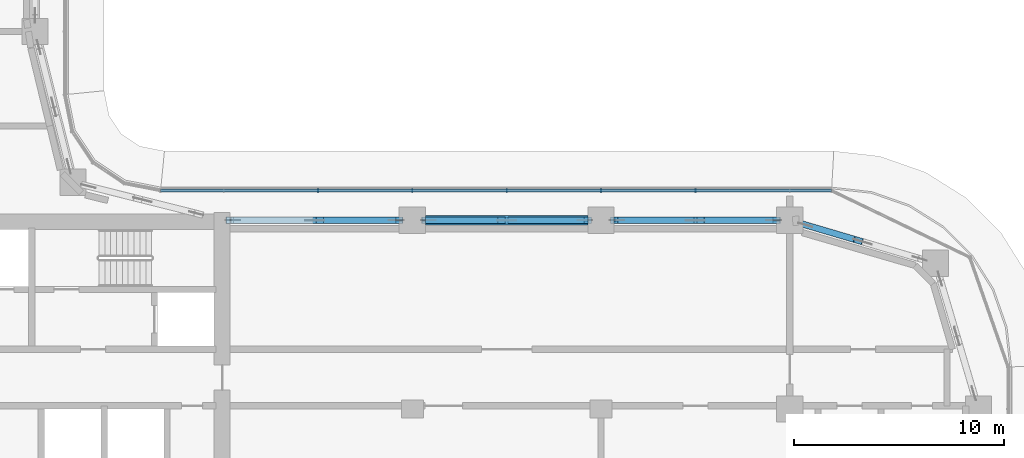
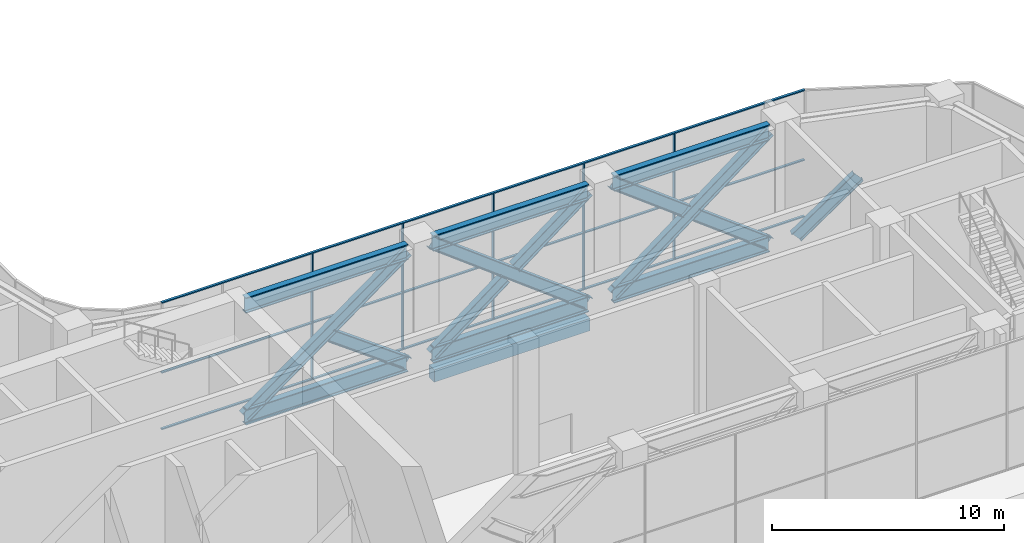
# One storey, part 8 of 35: 23 members, 1 beam, 1 element without a shape of its own.
"""IFC4 building model written with IfcOpenShell, lengths in metres."""

from ifc_helpers import new_model, si_unit, direction, frame, origin, origin_2d, place, context, subcontext, project, spatial, rectangle, i_section, extrude, material, material_profile, profile_set, type_object, element, aggregate, save


model = new_model("IFC4")

# Units and contexts
model_context = context("Model", 3, precision=1e-05, world=origin(), true_north=direction((0.0, 1.0)))
body_context = subcontext(model_context, "Body", "Model", "MODEL_VIEW")
ifc_project = project(units=[si_unit("LENGTHUNIT", "METRE"), si_unit("AREAUNIT", "SQUARE_METRE"), si_unit("VOLUMEUNIT", "CUBIC_METRE"), si_unit("PLANEANGLEUNIT", "RADIAN"), si_unit("MASSUNIT", "GRAM", prefix="KILO")], contexts=[model_context])

# Site, building, storey
site_placement = place(None, origin())
site = spatial("IfcSite", under=ifc_project, at=site_placement, CompositionType="ELEMENT")
building_placement = place(site_placement, origin())
building = spatial("IfcBuilding", under=site, at=building_placement, Name="Ogive Portal Towers", CompositionType="ELEMENT")
storey_placement = place(building_placement, frame((0.0, 0.0, 135.199951171875)))
storey = spatial("IfcBuildingStorey", under=building, at=storey_placement, Name="L33", CompositionType="ELEMENT", Elevation=135.199951171875)

# Members
ifc_material_1 = material(Name="Steel S355", Category="steel")
ifc_material_profile_1 = material_profile(ifc_material_1, i_section(OverallWidth=0.300048828125, OverallDepth=0.60009765625, WebThickness=0.015380859375, FlangeThickness=0.030029296875, FilletRadius=0.027099609375, at=origin_2d()), Name="HEB 600")
ifc_profile_set_1 = profile_set([ifc_material_profile_1], Name="Steel S355")
member_type_1 = type_object("IfcMemberType", Name="BRACE HEB 600", PredefinedType="BRACE", material=ifc_profile_set_1)
member_1_placement = place(storey_placement, frame((88.7705078125, 38.535400390625, 3.138916015625), z_axis=(-0.681456317967, 0.200990623129, -0.70371873367), x_axis=(-0.282894660948, -0.959150984364, 0.0)))
element("IfcMember", 1, at=member_1_placement, inside=storey, type_object=member_type_1, Name="Belt truss diagonal", PredefinedType="BRACE", context=body_context, shape_type="SweptSolid", body=[
    extrude(i_section(OverallWidth=0.300048828125, OverallDepth=0.60009765625, WebThickness=0.015380859375, FlangeThickness=0.030029296875, FilletRadius=0.027099609375, at=origin_2d()), origin(), (0.0, 0.0, 1.0), 3.882080078125),
])
member_2_placement = place(storey_placement, frame((84.875, 39.5, 6.29296875), z_axis=(-0.796360836966, 0.0, -0.604821806276), x_axis=(0.0, -1.0, 0.0)))
element("IfcMember", 2, at=member_2_placement, inside=storey, type_object=member_type_1, Name="Belt truss diagonal", PredefinedType="BRACE", context=body_context, shape_type="SweptSolid", body=[
    extrude(i_section(OverallWidth=0.300048828125, OverallDepth=0.60009765625, WebThickness=0.015380859375, FlangeThickness=0.030029296875, FilletRadius=0.027099609375, at=origin_2d()), origin(), (0.0, 0.0, 1.0), 9.731689453125),
])
for number, where, z_axis, x_axis, name in (
    (3, (84.875, 39.5, 0.406982421875), (-0.796357381808, 0.0, 0.60482635561), (0.0, -1.0, 0.0), "Belt truss diagonal"),
    (4, (80.751953125, 39.5, 3.538330078125), (-0.796357381808, 0.0, 0.60482635561), (0.0, -1.0, 0.0), "Belt truss diagonal"),
):
    element("IfcMember", number, at=place(storey_placement, frame(where, z_axis=z_axis, x_axis=x_axis)), inside=storey, type_object=member_type_1, Name=name, PredefinedType="BRACE", context=body_context, shape_type="SweptSolid", body=[
        extrude(i_section(OverallWidth=0.300048828125, OverallDepth=0.60009765625, WebThickness=0.015380859375, FlangeThickness=0.030029296875, FilletRadius=0.027099609375, at=origin_2d()), origin(), (0.0, 0.0, 1.0), 4.554443359375),
    ])
member_3_placement = place(storey_placement, frame((75.875, 39.5, 0.406982421875), z_axis=(-0.796360836966, 0.0, 0.604821806276), x_axis=(0.0, -1.0, 0.0)))
element("IfcMember", 5, at=member_3_placement, inside=storey, type_object=member_type_1, Name="Belt truss diagonal", PredefinedType="BRACE", context=body_context, shape_type="SweptSolid", body=[
    extrude(i_section(OverallWidth=0.300048828125, OverallDepth=0.60009765625, WebThickness=0.015380859375, FlangeThickness=0.030029296875, FilletRadius=0.027099609375, at=origin_2d()), origin(), (0.0, 0.0, 1.0), 9.731689453125),
])
for number, where, z_axis, x_axis, name in (
    (6, (75.875, 39.5, 6.29296875), (-0.796357381808, 0.0, -0.60482635561), (0.0, -1.0, 0.0), "Belt truss diagonal"),
    (7, (71.751953125, 39.5, 3.16162109375), (-0.796357381808, 0.0, -0.60482635561), (0.0, -1.0, 0.0), "Belt truss diagonal"),
):
    element("IfcMember", number, at=place(storey_placement, frame(where, z_axis=z_axis, x_axis=x_axis)), inside=storey, type_object=member_type_1, Name=name, PredefinedType="BRACE", context=body_context, shape_type="SweptSolid", body=[
        extrude(i_section(OverallWidth=0.300048828125, OverallDepth=0.60009765625, WebThickness=0.015380859375, FlangeThickness=0.030029296875, FilletRadius=0.027099609375, at=origin_2d()), origin(), (0.0, 0.0, 1.0), 4.554443359375),
    ])
member_4_placement = place(storey_placement, frame((66.875, 39.5, 6.29296875), z_axis=(-0.808102750075, 0.0, -0.589041548044), x_axis=(0.0, -1.0, 0.0)))
element("IfcMember", 8, at=member_4_placement, inside=storey, type_object=member_type_1, Name="Belt truss diagonal", PredefinedType="BRACE", context=body_context, shape_type="SweptSolid", body=[
    extrude(i_section(OverallWidth=0.300048828125, OverallDepth=0.60009765625, WebThickness=0.015380859375, FlangeThickness=0.030029296875, FilletRadius=0.027099609375, at=origin_2d()), origin(), (0.0, 0.0, 1.0), 9.992431640625),
])
member_5_placement = place(storey_placement, frame((66.875, 39.5, 0.406982421875), z_axis=(-0.808074768055, 0.0, 0.589079934502), x_axis=(0.0, -1.0, 0.0)))
element("IfcMember", 9, at=member_5_placement, inside=storey, type_object=member_type_1, Name="Belt truss diagonal", PredefinedType="BRACE", context=body_context, shape_type="SweptSolid", body=[
    extrude(i_section(OverallWidth=0.300048828125, OverallDepth=0.60009765625, WebThickness=0.015380859375, FlangeThickness=0.030029296875, FilletRadius=0.027099609375, at=origin_2d()), origin(), (0.0, 0.0, 1.0), 4.68115234375),
])
ifc_material_profile_2 = material_profile(ifc_material_1, i_section(OverallWidth=0.302978515625, OverallDepth=0.81396484375, WebThickness=0.02099609375, FlangeThickness=0.0400390625, FilletRadius=0.030029296875, at=origin_2d()), Name="HEM 800")
ifc_profile_set_2 = profile_set([ifc_material_profile_2], Name="Steel S355")
member_type_2 = type_object("IfcMemberType", Name="CHORD HEM 800", PredefinedType="CHORD", material=ifc_profile_set_2)
for number, where, z_axis, x_axis, name in (
    (10, (84.875, 39.5, 0.406982421875), (-1.0, 0.0, 0.0), (0.0, -1.0, 0.0), "Belt truss bottom chord"),
    (11, (84.875, 39.5, 6.29296875), (-1.0, 0.0, 0.0), (0.0, -1.0, 0.0), "Belt truss top chord"),
    (12, (75.875, 39.5, 0.406982421875), (-1.0, 0.0, 0.0), (0.0, -1.0, 0.0), "Belt truss bottom chord"),
    (13, (75.875, 39.5, 6.29296875), (-1.0, 0.0, 0.0), (0.0, -1.0, 0.0), "Belt truss top chord"),
):
    element("IfcMember", number, at=place(storey_placement, frame(where, z_axis=z_axis, x_axis=x_axis)), inside=storey, type_object=member_type_2, Name=name, PredefinedType="CHORD", context=body_context, shape_type="SweptSolid", body=[
        extrude(i_section(OverallWidth=0.302978515625, OverallDepth=0.81396484375, WebThickness=0.02099609375, FlangeThickness=0.0400390625, FilletRadius=0.030029296875, at=origin_2d()), origin(), (0.0, 0.0, 1.0), 7.75),
    ])
for number, where, z_axis, x_axis, name in (
    (14, (66.875, 39.5, 0.406982421875), (-1.0, 0.0, 0.0), (0.0, -1.0, 0.0), "Belt truss bottom chord"),
    (15, (66.875, 39.5, 6.29296875), (-1.0, 0.0, 0.0), (0.0, -1.0, 0.0), "Belt truss top chord"),
):
    element("IfcMember", number, at=place(storey_placement, frame(where, z_axis=z_axis, x_axis=x_axis)), inside=storey, type_object=member_type_2, Name=name, PredefinedType="CHORD", context=body_context, shape_type="SweptSolid", body=[
        extrude(i_section(OverallWidth=0.302978515625, OverallDepth=0.81396484375, WebThickness=0.02099609375, FlangeThickness=0.0400390625, FilletRadius=0.030029296875, at=origin_2d()), origin(), (0.0, 0.0, 1.0), 8.074951171875),
    ])

# Curtain wall, members
ifc_material_2 = material(Name="Glass, clear low-iron insulated glazing", Category="glass")
curtain_wall_type = type_object("IfcCurtainWallType", Name="CW OBSERVATION WALL", PredefinedType="NOTDEFINED", material=ifc_material_2)
curtain_wall_placement = place(storey_placement, origin())
curtain_wall = element("IfcCurtainWall", 16, at=curtain_wall_placement, inside=storey, type_object=curtain_wall_type, Name="A:L33:f12:cw0", PredefinedType="NOTDEFINED")
ifc_material_3 = material(Name="Aluminium 6063 anodised", Category="aluminium")
ifc_material_profile_3 = material_profile(ifc_material_3, rectangle(XDim=0.159912109375, YDim=0.06005859375, at=origin_2d()), Name="AL 60x160")
ifc_profile_set_3 = profile_set([ifc_material_profile_3], Name="Aluminium 6063 anodised")
member_type_3 = type_object("IfcMemberType", Name="CW MULLION 60x160", PredefinedType="MULLION", material=ifc_profile_set_3)
member_6_placement = place(storey_placement, frame((81.0, 40.919921875, 0.06005859375), z_axis=(0.0, 0.0, 1.0), x_axis=(0.0, -1.0, 0.0)))
member_6 = element("IfcMember", 17, at=member_6_placement, type_object=member_type_3, Name="mullion", PredefinedType="MULLION", context=body_context, shape_type="SweptSolid", body=[
    extrude(rectangle(XDim=0.159912109375, YDim=0.06005859375, at=origin_2d()), origin(), (0.0, 0.0, 1.0), 6.580078125),
])
member_7_placement = place(storey_placement, frame((76.5, 40.919921875, 0.06005859375), z_axis=(0.0, 0.0, 1.0), x_axis=(0.0, -1.0, 0.0)))
member_7 = element("IfcMember", 18, at=member_7_placement, type_object=member_type_3, Name="mullion", PredefinedType="MULLION", context=body_context, shape_type="SweptSolid", body=[
    extrude(rectangle(XDim=0.159912109375, YDim=0.06005859375, at=origin_2d()), origin(), (0.0, 0.0, 1.0), 6.580078125),
])
member_8_placement = place(storey_placement, frame((72.0, 40.919921875, 0.06005859375), z_axis=(0.0, 0.0, 1.0), x_axis=(0.0, -1.0, 0.0)))
member_8 = element("IfcMember", 19, at=member_8_placement, type_object=member_type_3, Name="mullion", PredefinedType="MULLION", context=body_context, shape_type="SweptSolid", body=[
    extrude(rectangle(XDim=0.159912109375, YDim=0.06005859375, at=origin_2d()), origin(), (0.0, 0.0, 1.0), 6.580078125),
])
member_9_placement = place(storey_placement, frame((67.5, 40.919921875, 0.06005859375), z_axis=(0.0, 0.0, 1.0), x_axis=(0.0, -1.0, 0.0)))
member_9 = element("IfcMember", 20, at=member_9_placement, type_object=member_type_3, Name="mullion", PredefinedType="MULLION", context=body_context, shape_type="SweptSolid", body=[
    extrude(rectangle(XDim=0.159912109375, YDim=0.06005859375, at=origin_2d()), origin(), (0.0, 0.0, 1.0), 6.580078125),
])
member_10_placement = place(storey_placement, frame((63.0, 40.919921875, 0.06005859375), z_axis=(0.0, 0.0, 1.0), x_axis=(0.0, -1.0, 0.0)))
member_10 = element("IfcMember", 21, at=member_10_placement, type_object=member_type_3, Name="mullion", PredefinedType="MULLION", context=body_context, shape_type="SweptSolid", body=[
    extrude(rectangle(XDim=0.159912109375, YDim=0.06005859375, at=origin_2d()), origin(), (0.0, 0.0, 1.0), 6.580078125),
])
ifc_material_profile_4 = material_profile(ifc_material_3, rectangle(XDim=0.1201171875, YDim=0.06005859375, at=origin_2d()), Name="AL 120x60")
ifc_profile_set_4 = profile_set([ifc_material_profile_4], Name="Aluminium 6063 anodised")
member_type_4 = type_object("IfcMemberType", Name="CW TRANSOM 60x120", PredefinedType="USERDEFINED", material=ifc_profile_set_4)
member_11_placement = place(storey_placement, frame((87.481689453125, 40.919921875, 0.030029296875), z_axis=(-1.0, 0.0, 0.0), x_axis=(0.0, -1.0, 0.0)))
member_11 = element("IfcMember", 22, at=member_11_placement, type_object=member_type_4, Name="transom", ObjectType="TRANSOM", PredefinedType="USERDEFINED", context=body_context, shape_type="SweptSolid", body=[
    extrude(rectangle(XDim=0.1201171875, YDim=0.06005859375, at=origin_2d()), origin(), (0.0, 0.0, 1.0), 31.989501953125),
])
member_12_placement = place(storey_placement, frame((87.481689453125, 40.919921875, 3.0), z_axis=(-1.0, 0.0, 0.0), x_axis=(0.0, -1.0, 0.0)))
member_12 = element("IfcMember", 23, at=member_12_placement, type_object=member_type_4, Name="transom", ObjectType="TRANSOM", PredefinedType="USERDEFINED", context=body_context, shape_type="SweptSolid", body=[
    extrude(rectangle(XDim=0.1201171875, YDim=0.06005859375, at=origin_2d()), origin(), (0.0, 0.0, 1.0), 31.989501953125),
])
member_13_placement = place(storey_placement, frame((87.481689453125, 40.919921875, 6.670166015625), z_axis=(-1.0, 0.0, 0.0), x_axis=(0.0, -1.0, 0.0)))
member_13 = element("IfcMember", 24, at=member_13_placement, type_object=member_type_4, Name="transom", ObjectType="TRANSOM", PredefinedType="USERDEFINED", context=body_context, shape_type="SweptSolid", body=[
    extrude(rectangle(XDim=0.1201171875, YDim=0.06005859375, at=origin_2d()), origin(), (0.0, 0.0, 1.0), 31.989501953125),
])
aggregate(curtain_wall, [member_11, member_12, member_13, member_6, member_7, member_8, member_9, member_10])

# Beam
ifc_material_4 = material(Name="Concrete C50/60", Category="concrete")
ifc_material_profile_5 = material_profile(ifc_material_4, rectangle(XDim=0.449951171875, YDim=0.64990234375, at=origin_2d()), Name="RC 450x650")
ifc_profile_set_5 = profile_set([ifc_material_profile_5], Name="Concrete C50/60")
beam_type = type_object("IfcBeamType", Name="SPANDREL BEAM RC 450x650", PredefinedType="BEAM", material=ifc_profile_set_5)
beam_placement = place(storey_placement, frame((68.125, 39.5, -0.625), z_axis=(1.0, 0.0, 0.0), x_axis=(0.0, 1.0, 0.0)))
element("IfcBeam", 25, at=beam_placement, inside=storey, type_object=beam_type, Name="Spandrel beam L33", PredefinedType="BEAM", context=body_context, shape_type="SweptSolid", body=[
    extrude(rectangle(XDim=0.449951171875, YDim=0.64990234375, at=origin_2d()), origin(), (0.0, 0.0, 1.0), 7.75),
])

save(model, "model.ifc")
